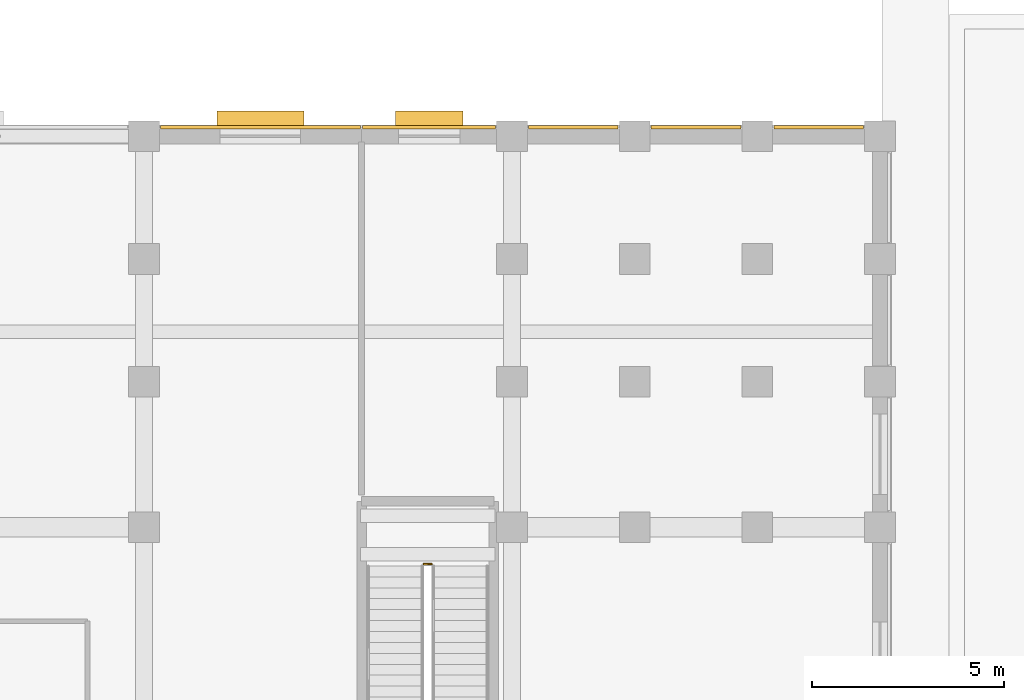
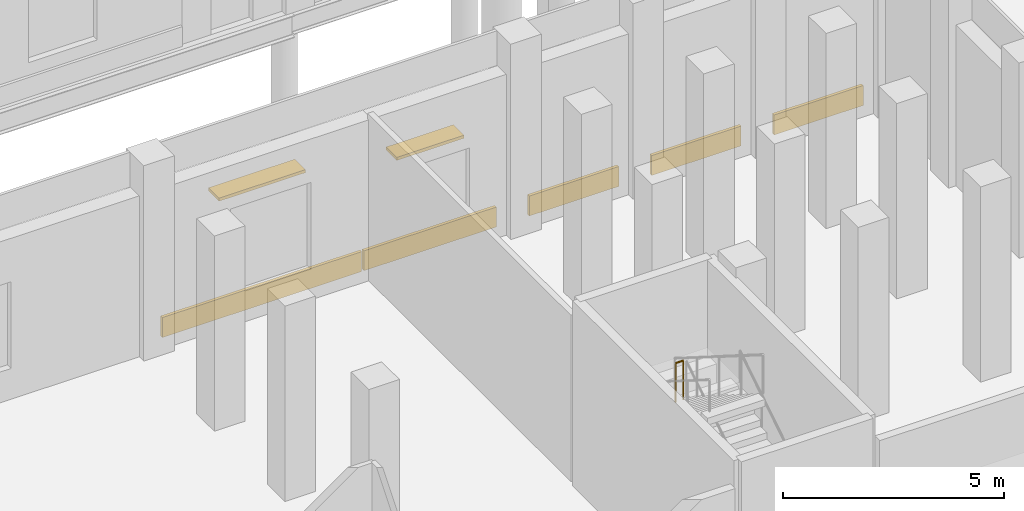
# One storey, part 121 of 137: 5 coverings, 2 shading devices, 1 railing.
"""IFC4 building model written with IfcOpenShell, lengths in metres."""

from ifc_helpers import new_model, si_unit, direction, frame, origin, origin_2d, place, context, subcontext, project, spatial, rectangle, circle, extrude, material, layer, layer_set, type_object, element, save


model = new_model("IFC4")

# Units and contexts
model_context = context("Model", 3, precision=1e-05, world=origin(), true_north=direction((0.0, 1.0)))
body_context = subcontext(model_context, "Body", "Model", "MODEL_VIEW")
ifc_project = project(units=[si_unit("LENGTHUNIT", "METRE"), si_unit("AREAUNIT", "SQUARE_METRE"), si_unit("VOLUMEUNIT", "CUBIC_METRE"), si_unit("PLANEANGLEUNIT", "RADIAN"), si_unit("MASSUNIT", "GRAM", prefix="KILO")], contexts=[model_context])

# Site, building, storey
site_placement = place(None, origin())
site = spatial("IfcSite", under=ifc_project, at=site_placement, CompositionType="ELEMENT")
building_placement = place(site_placement, origin())
building = spatial("IfcBuilding", under=site, at=building_placement, Name="Vondelvale Polytechnic", CompositionType="ELEMENT")
storey_placement = place(building_placement, origin())
storey = spatial("IfcBuildingStorey", under=building, at=storey_placement, Name="L00", CompositionType="ELEMENT", Elevation=0.0)

# Coverings
ifc_material_1 = material(Name="Malmsbury bluestone ashlar stone masonry", Category="masonry")
ifc_layer_1 = layer(ifc_material_1, 0.080078125)
ifc_layer_set_1 = layer_set([ifc_layer_1], Name="COV-BLUESTONE-PLINTH")
covering_type = type_object("IfcCoveringType", Name="COV-BLUESTONE-PLINTH", PredefinedType="CLADDING", material=ifc_layer_set_1)
covering_1_placement = place(storey_placement, frame((31.837890625, 41.035888671875, 0.0), z_axis=(0.0, 0.0, 1.0), x_axis=(1.0, 0.0, 0.0)))
element("IfcCovering", 1, at=covering_1_placement, inside=storey, type_object=covering_type, Name="L00 exterior corbelled masonry relief band", PredefinedType="CLADDING", context=body_context, shape_type="SweptSolid", body=[
    extrude(rectangle(XDim=5.214111328125, YDim=0.080078125, at=origin_2d()), origin(), (0.0, 0.0, 1.0), 0.550048828125),
])
covering_2_placement = place(storey_placement, frame((36.237060546875, 41.035888671875, 0.0), z_axis=(0.0, 0.0, 1.0), x_axis=(1.0, 0.0, 0.0)))
element("IfcCovering", 2, at=covering_2_placement, inside=storey, type_object=covering_type, Name="L00 exterior corbelled masonry relief band", PredefinedType="CLADDING", context=body_context, shape_type="SweptSolid", body=[
    extrude(rectangle(XDim=3.464111328125, YDim=0.080078125, at=origin_2d()), origin(), (0.0, 0.0, 1.0), 0.550048828125),
])
for number, where, z_axis, x_axis, name in (
    (3, (40.0, 41.035888671875, 0.0), (0.0, 0.0, 1.0), (1.0, 0.0, 0.0), "L00 exterior corbelled masonry relief band"),
    (4, (43.199951171875, 41.035888671875, 0.0), (0.0, 0.0, 1.0), (1.0, 0.0, 0.0), "L00 exterior corbelled masonry relief band"),
    (5, (46.39990234375, 41.035888671875, 0.0), (0.0, 0.0, 1.0), (1.0, 0.0, 0.0), "L00 exterior corbelled masonry relief band"),
):
    element("IfcCovering", number, at=place(storey_placement, frame(where, z_axis=z_axis, x_axis=x_axis)), inside=storey, type_object=covering_type, Name=name, PredefinedType="CLADDING", context=body_context, shape_type="SweptSolid", body=[
        extrude(rectangle(XDim=2.337890625, YDim=0.080078125, at=origin_2d()), origin(), (0.0, 0.0, 1.0), 0.550048828125),
    ])

# Railing
ifc_material_2 = material(Name="Brushed architectural stainless and zinc-coated metal")
ifc_layer_2 = layer(ifc_material_2, 0.050048828125)
ifc_layer_set_2 = layer_set([ifc_layer_2], Name="RL-STAIR-GUARD")
railing_type = type_object("IfcRailingType", Name="RL-STAIR-GUARD", PredefinedType="GUARDRAIL", material=ifc_layer_set_2)
railing_placement = place(storey_placement, frame((36.300048828125, 29.639892578125, 2.699951171875)))
element("IfcRailing", 6, at=railing_placement, inside=storey, type_object=railing_type, Name="L00 ST-05 stair guard 2", PredefinedType="GUARDRAIL", context=body_context, shape_type="SweptSolid", body=[
    extrude(circle(Radius=0.02392578125, at=origin_2d()), frame((0.0, 0.0, 1.076171875), z_axis=(-1.0, 0.0, 0.0), x_axis=(0.0, -1.0, 0.0)), (0.0, 0.0, 1.0), 0.199951171875),
    extrude(circle(Radius=0.02099609375, at=origin_2d()), origin(), (0.0, 0.0, 1.0), 1.052001953125),
    extrude(circle(Radius=0.02099609375, at=origin_2d()), frame((-0.199951171875, 0.0, 0.0)), (0.0, 0.0, 1.0), 1.052001953125),
])

# Shading devices
ifc_material_3 = material(Name="Anodised extruded aluminium 6063-T6", Category="aluminium")
shading_device_type = type_object("IfcShadingDeviceType", Name="SHD-BRONZE-LOUVRE", PredefinedType="SHUTTER", material=ifc_material_3)
shading_device_1_placement = place(storey_placement, frame((31.837890625, 41.22509765625, 3.257568359375), z_axis=(0.0, 0.0, 1.0), x_axis=(1.0, 0.0, 0.0)))
element("IfcShadingDevice", 7, at=shading_device_1_placement, inside=storey, type_object=shading_device_type, Name="L00 horizontal bronze sun-louvre overhang", PredefinedType="SHUTTER", context=body_context, shape_type="SweptSolid", body=[
    extrude(rectangle(XDim=2.260009765625, YDim=0.47998046875, at=origin_2d()), origin(), (0.0, 0.0, 1.0), 0.0849609375),
])
shading_device_2_placement = place(storey_placement, frame((36.237060546875, 41.22509765625, 2.757568359375), z_axis=(0.0, 0.0, 1.0), x_axis=(1.0, 0.0, 0.0)))
element("IfcShadingDevice", 8, at=shading_device_2_placement, inside=storey, type_object=shading_device_type, Name="L00 horizontal bronze sun-louvre overhang", PredefinedType="SHUTTER", context=body_context, shape_type="SweptSolid", body=[
    extrude(rectangle(XDim=1.760009765625, YDim=0.47998046875, at=origin_2d()), origin(), (0.0, 0.0, 1.0), 0.0849609375),
])

save(model, "model.ifc")
